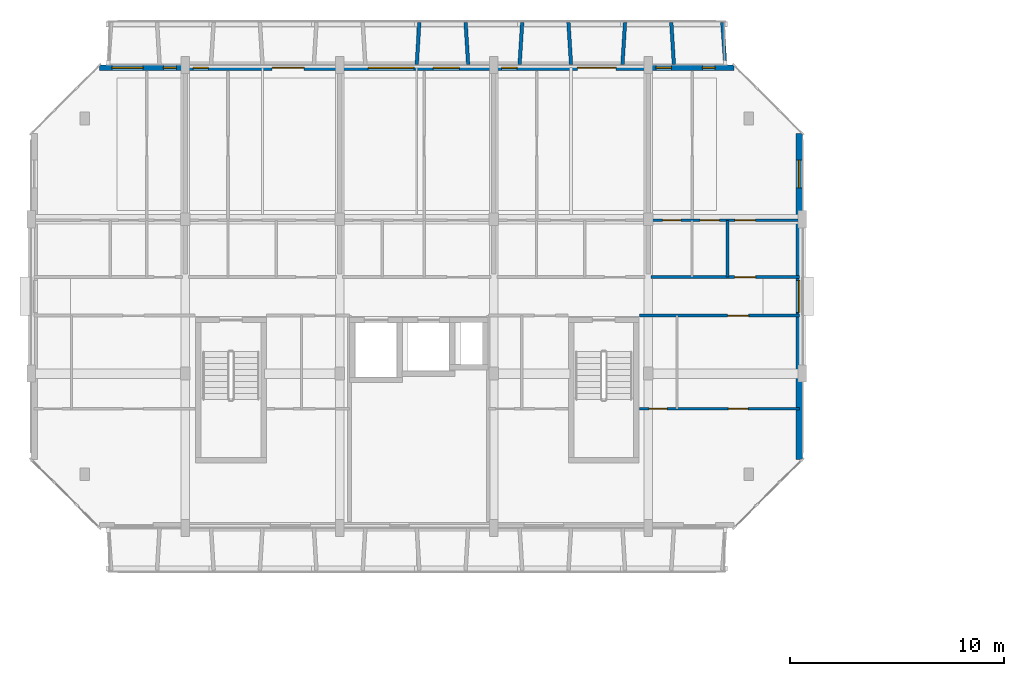
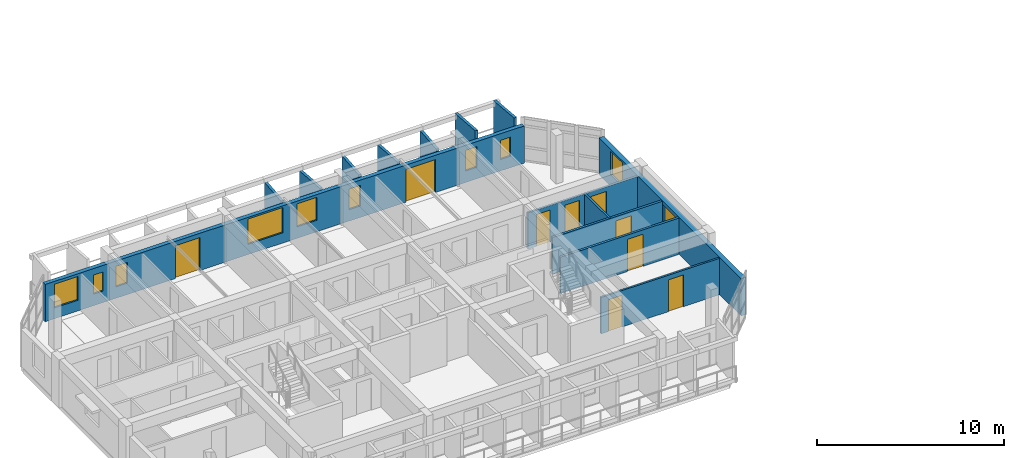
# One storey, part 23 of 46: 14 walls, 10 windows, 9 doors, 19 openings.
"""IFC4 building model written with IfcOpenShell, lengths in metres."""

from ifc_helpers import new_model, si_unit, direction, frame, frame_2d, origin, place, context, subcontext, project, spatial, rectangle, extrude, material, layer, layer_set, type_object, element, fill, save


model = new_model("IFC4")

# Units and contexts
model_context = context("Model", 3, precision=1e-05, world=origin(), true_north=direction((0.0, 1.0)))
body_context = subcontext(model_context, "Body", "Model", "MODEL_VIEW")
ifc_project = project(units=[si_unit("LENGTHUNIT", "METRE"), si_unit("AREAUNIT", "SQUARE_METRE"), si_unit("VOLUMEUNIT", "CUBIC_METRE"), si_unit("PLANEANGLEUNIT", "RADIAN"), si_unit("MASSUNIT", "GRAM", prefix="KILO")], contexts=[model_context])

# Site, building, storey
site_placement = place(None, origin())
site = spatial("IfcSite", under=ifc_project, at=site_placement, CompositionType="ELEMENT")
building_placement = place(site_placement, origin())
building = spatial("IfcBuilding", under=site, at=building_placement, Name="Ochrevale Crest", CompositionType="ELEMENT")
storey_placement = place(building_placement, frame((0.0, 0.0, 24.449951171875)))
storey = spatial("IfcBuildingStorey", under=building, at=storey_placement, Name="L07", CompositionType="ELEMENT", Elevation=24.449951171875)

# Wall, opening, door
ifc_material_1 = material(Name="Gypsum plasterboard", Category="gypsum")
ifc_layer_1 = layer(ifc_material_1, 0.139892578125)
ifc_layer_set_1 = layer_set([ifc_layer_1], Name="Gypsum plasterboard")
wall_type_1 = type_object("IfcWallType", Name="WL-COR-140", PredefinedType="PARTITIONING", material=ifc_layer_set_1)
wall_1_placement = place(storey_placement, frame((28.93994140625, 83.699951171875, 0.0), z_axis=(0.0, 0.0, 1.0), x_axis=(1.0, 0.0, 0.0)))
wall_1 = element("IfcWall", 1, at=wall_1_placement, inside=storey, type_object=wall_type_1, Name="Apartment B-L07-U5 corridor wall", PredefinedType="PARTITIONING", context=body_context, shape_type="SweptSolid", body=[
    extrude(rectangle(XDim=6.920166015625, YDim=0.139892578125, at=frame_2d((3.4599609375, 0.0))), origin(), (0.0, 0.0, 1.0), 2.380126953125),
])
opening_1_placement = place(wall_1_placement, frame((4.875, 0.0, 0.0), z_axis=(0.0, 0.0, 1.0), x_axis=(-1.0, 0.0, 0.0)))
opening_1 = element("IfcOpeningElement", 2, at=opening_1_placement, cuts=wall_1, Name="Opening FD01", PredefinedType="OPENING", context=body_context, shape_type="SweptSolid", body=[
    extrude(rectangle(XDim=0.97998046875, YDim=2.10009765625, at=frame_2d((0.489990234375, 1.050048828125))), frame((0.0, 0.080078125, 0.0), z_axis=(0.0, -1.0, 0.0), x_axis=(1.0, 0.0, 0.0)), (0.0, 0.0, 1.0), 0.159912109375),
])
ifc_material_2 = material(Name="Solid-core FSC hardwood", Category="wood")
door_type_1 = type_object("IfcDoorType", Name="DR-APT-950", OperationType="NOTDEFINED", PredefinedType="DOOR", material=ifc_material_2)
door_1_placement = place(opening_1_placement, origin())
door_1 = element("IfcDoor", 3, at=door_1_placement, inside=storey, type_object=door_type_1, Name="Apartment B-L07-U5 entrance door", OperationType="SINGLE_SWING_RIGHT", OverallHeight=2.10009765625, OverallWidth=0.97998046875, PredefinedType="DOOR", context=body_context, shape_type="SweptSolid", body=[
    extrude(rectangle(XDim=0.97998046875, YDim=2.10009765625, at=frame_2d((0.489990234375, 1.050048828125))), frame((0.0, 0.02490234375, 0.0), z_axis=(0.0, -1.0, 0.0), x_axis=(1.0, 0.0, 0.0)), (0.0, 0.0, 1.0), 0.050048828125),
])
fill(opening_1, door_1)

wall_2_placement = place(storey_placement, frame((28.389892578125, 81.89990234375, 0.0), z_axis=(0.0, 0.0, 1.0), x_axis=(1.0, 0.0, 0.0)))
wall_2 = element("IfcWall", 4, at=wall_2_placement, inside=storey, type_object=wall_type_1, Name="Suite B-L07-CE corridor wall", PredefinedType="PARTITIONING", context=body_context, shape_type="SweptSolid", body=[
    extrude(rectangle(XDim=7.47021484375, YDim=0.139892578125, at=frame_2d((3.735107421875, 0.0))), origin(), (0.0, 0.0, 1.0), 2.380126953125),
])
opening_2_placement = place(wall_2_placement, frame((5.10009765625, 0.0, 0.0), z_axis=(0.0, 0.0, 1.0), x_axis=(-1.0, 0.0, 0.0)))
opening_2 = element("IfcOpeningElement", 5, at=opening_2_placement, cuts=wall_2, Name="Opening FD01", PredefinedType="OPENING", context=body_context, shape_type="SweptSolid", body=[
    extrude(rectangle(XDim=0.97998046875, YDim=2.10009765625, at=frame_2d((0.489990234375, 1.050048828125))), frame((0.0, 0.080078125, 0.0), z_axis=(0.0, -1.0, 0.0), x_axis=(1.0, 0.0, 0.0)), (0.0, 0.0, 1.0), 0.159912109375),
])
door_2_placement = place(opening_2_placement, origin())
door_2 = element("IfcDoor", 6, at=door_2_placement, inside=storey, type_object=door_type_1, Name="Suite B-L07-CE entrance door", OperationType="SINGLE_SWING_RIGHT", OverallHeight=2.10009765625, OverallWidth=0.97998046875, PredefinedType="DOOR", context=body_context, shape_type="SweptSolid", body=[
    extrude(rectangle(XDim=0.97998046875, YDim=2.10009765625, at=frame_2d((0.489990234375, 1.050048828125))), frame((0.0, 0.02490234375, 0.0), z_axis=(0.0, -1.0, 0.0), x_axis=(1.0, 0.0, 0.0)), (0.0, 0.0, 1.0), 0.050048828125),
])
fill(opening_2, door_2)

# Wall, openings, windows
ifc_material_3 = material(Name="Clay face brickwork", Category="masonry")
ifc_layer_2 = layer(ifc_material_3, 0.2900390625)
ifc_layer_set_2 = layer_set([ifc_layer_2], Name="Clay face brickwork")
wall_type_2 = type_object("IfcWallType", Name="WL-EXT-BRICK-290", PredefinedType="SOLIDWALL", material=ifc_layer_set_2)
wall_3_placement = place(storey_placement, frame((35.85498046875, 75.199951171875, 0.0), z_axis=(0.0, 0.0, 1.0), x_axis=(0.0, 1.0, 0.0)))
wall_3 = element("IfcWall", 7, at=wall_3_placement, inside=storey, type_object=wall_type_2, Name="Block B L07 external facade wall E3", PredefinedType="SOLIDWALL", context=body_context, shape_type="SweptSolid", body=[
    extrude(rectangle(XDim=15.199951171875, YDim=0.2900390625, at=frame_2d((7.60009765625, 0.0))), origin(), (0.0, 0.0, 1.0), 2.429931640625),
])
opening_3_placement = place(wall_3_placement, frame((6.85009765625, 0.0, 1.050048828125)))
opening_3 = element("IfcOpeningElement", 8, at=opening_3_placement, cuts=wall_3, Name="Opening W18", PredefinedType="OPENING", context=body_context, shape_type="SweptSolid", body=[
    extrude(rectangle(XDim=1.5, YDim=1.14990234375, at=frame_2d((0.75, 0.574951171875))), frame((0.0, 0.155029296875, 0.0), z_axis=(0.0, -1.0, 0.0), x_axis=(1.0, 0.0, 0.0)), (0.0, 0.0, 1.0), 0.31005859375),
])
opening_4_placement = place(wall_3_placement, frame((12.6650390625, 0.0, 0.75)))
opening_4 = element("IfcOpeningElement", 9, at=opening_4_placement, cuts=wall_3, Name="Opening W30", PredefinedType="OPENING", context=body_context, shape_type="SweptSolid", body=[
    extrude(rectangle(XDim=1.300048828125, YDim=1.550048828125, at=frame_2d((0.64990234375, 0.77490234375))), frame((0.0, 0.155029296875, 0.0), z_axis=(0.0, -1.0, 0.0), x_axis=(1.0, 0.0, 0.0)), (0.0, 0.0, 1.0), 0.31005859375),
])
ifc_material_4 = material(Name="Anodised aluminium 6063-T5 and low-E double glazing", Category="aluminium")
window_type_1 = type_object("IfcWindowType", Name="WIN-W18", PartitioningType="SINGLE_PANEL", PredefinedType="WINDOW", material=ifc_material_4)
window_1_placement = place(opening_3_placement, origin())
window_1 = element("IfcWindow", 10, at=window_1_placement, inside=storey, type_object=window_type_1, Name="Block B L07 corridor end daylight window E", OverallHeight=1.14990234375, OverallWidth=1.5, PartitioningType="SINGLE_PANEL", PredefinedType="WINDOW", context=body_context, shape_type="SweptSolid", body=[
    extrude(rectangle(XDim=1.5, YDim=1.14990234375, at=frame_2d((0.75, 0.574951171875))), frame((0.0, 0.030029296875, 0.0), z_axis=(0.0, -1.0, 0.0), x_axis=(1.0, 0.0, 0.0)), (0.0, 0.0, 1.0), 0.06005859375),
])
fill(opening_3, window_1)
window_type_2 = type_object("IfcWindowType", Name="WIN-W30", PartitioningType="SINGLE_PANEL", PredefinedType="WINDOW", material=ifc_material_4)
window_2_placement = place(opening_4_placement, origin())
window_2 = element("IfcWindow", 11, at=window_2_placement, inside=storey, type_object=window_type_2, Name="Block B L07 side suite window E", OverallHeight=1.550048828125, OverallWidth=1.300048828125, PartitioningType="SINGLE_PANEL", PredefinedType="WINDOW", context=body_context, shape_type="SweptSolid", body=[
    extrude(rectangle(XDim=1.300048828125, YDim=1.550048828125, at=frame_2d((0.64990234375, 0.77490234375))), frame((0.0, 0.030029296875, 0.0), z_axis=(0.0, -1.0, 0.0), x_axis=(1.0, 0.0, 0.0)), (0.0, 0.0, 1.0), 0.06005859375),
])
fill(opening_4, window_2)

# Wall, openings, doors, windows
ifc_material_5 = material(Name="Precast concrete C40/50", Category="concrete")
ifc_layer_3 = layer(ifc_material_5, 0.25)
ifc_layer_set_3 = layer_set([ifc_layer_3], Name="Precast concrete C40/50")
wall_type_3 = type_object("IfcWallType", Name="WL-EXT-GOLD-250", PredefinedType="SOLIDWALL", material=ifc_layer_set_3)
wall_4_placement = place(storey_placement, frame((32.800048828125, 93.47509765625, 0.0), z_axis=(0.0, 0.0, 1.0), x_axis=(-1.0, 0.0, 0.0)))
wall_4 = element("IfcWall", 12, at=wall_4_placement, inside=storey, type_object=wall_type_3, Name="Block B L07 external facade wall E5", PredefinedType="SOLIDWALL", context=body_context, shape_type="SweptSolid", body=[
    extrude(rectangle(XDim=29.60009765625, YDim=0.25, at=frame_2d((14.800048828125, 0.0))), origin(), (0.0, 0.0, 1.0), 2.429931640625),
])
opening_5_placement = place(wall_4_placement, frame((21.550048828125, 0.0, 0.0), z_axis=(0.0, 0.0, 1.0), x_axis=(-1.0, 0.0, 0.0)))
opening_5 = element("IfcOpeningElement", 13, at=opening_5_placement, cuts=wall_4, Name="Opening BD01", PredefinedType="OPENING", context=body_context, shape_type="SweptSolid", body=[
    extrude(rectangle(XDim=1.5, YDim=2.14990234375, at=frame_2d((0.75, 1.074951171875))), frame((0.0, 0.135009765625, 0.0), z_axis=(0.0, -1.0, 0.0), x_axis=(1.0, 0.0, 0.0)), (0.0, 0.0, 1.0), 0.27001953125),
])
opening_6_placement = place(wall_4_placement, frame((7.300048828125, 0.0, 0.0), z_axis=(0.0, 0.0, 1.0), x_axis=(-1.0, 0.0, 0.0)))
opening_6 = element("IfcOpeningElement", 14, at=opening_6_placement, cuts=wall_4, Name="Opening BD03", PredefinedType="OPENING", context=body_context, shape_type="SweptSolid", body=[
    extrude(rectangle(XDim=1.800048828125, YDim=2.14990234375, at=frame_2d((0.89990234375, 1.074951171875))), frame((0.0, 0.135009765625, 0.0), z_axis=(0.0, -1.0, 0.0), x_axis=(1.0, 0.0, 0.0)), (0.0, 0.0, 1.0), 0.27001953125),
])
opening_7_placement = place(wall_4_placement, frame((27.570068359375, 0.0, 0.699951171875)))
opening_7 = element("IfcOpeningElement", 15, at=opening_7_placement, cuts=wall_4, Name="Opening W08", PredefinedType="OPENING", context=body_context, shape_type="SweptSolid", body=[
    extrude(rectangle(XDim=1.4599609375, YDim=1.550048828125, at=frame_2d((0.72998046875, 0.77490234375))), frame((0.0, 0.135009765625, 0.0), z_axis=(0.0, -1.0, 0.0), x_axis=(1.0, 0.0, 0.0)), (0.0, 0.0, 1.0), 0.27001953125),
])
opening_8_placement = place(wall_4_placement, frame((26.02001953125, 0.0, 0.75)))
opening_8 = element("IfcOpeningElement", 16, at=opening_8_placement, cuts=wall_4, Name="Opening W01", PredefinedType="OPENING", context=body_context, shape_type="SweptSolid", body=[
    extrude(rectangle(XDim=0.60009765625, YDim=1.25, at=frame_2d((0.300048828125, 0.625))), frame((0.0, 0.135009765625, 0.0), z_axis=(0.0, -1.0, 0.0), x_axis=(1.0, 0.0, 0.0)), (0.0, 0.0, 1.0), 0.27001953125),
])
opening_9_placement = place(wall_4_placement, frame((24.52001953125, 0.0, 0.75)))
opening_9 = element("IfcOpeningElement", 17, at=opening_9_placement, cuts=wall_4, Name="Opening W02", PredefinedType="OPENING", context=body_context, shape_type="SweptSolid", body=[
    extrude(rectangle(XDim=0.719970703125, YDim=1.35009765625, at=frame_2d((0.35986328125, 0.675048828125))), frame((0.0, 0.135009765625, 0.0), z_axis=(0.0, -1.0, 0.0), x_axis=(1.0, 0.0, 0.0)), (0.0, 0.0, 1.0), 0.27001953125),
])
opening_10_placement = place(wall_4_placement, frame((14.925048828125, 0.0, 0.669921875)))
opening_10 = element("IfcOpeningElement", 18, at=opening_10_placement, cuts=wall_4, Name="Opening W13", PredefinedType="OPENING", context=body_context, shape_type="SweptSolid", body=[
    extrude(rectangle(XDim=2.14990234375, YDim=1.64990234375, at=frame_2d((1.074951171875, 0.824951171875))), frame((0.0, 0.135009765625, 0.0), z_axis=(0.0, -1.0, 0.0), x_axis=(1.0, 0.0, 0.0)), (0.0, 0.0, 1.0), 0.27001953125),
])
opening_11_placement = place(wall_4_placement, frame((12.81494140625, 0.0, 0.75)))
opening_11 = element("IfcOpeningElement", 19, at=opening_11_placement, cuts=wall_4, Name="Opening W06", PredefinedType="OPENING", context=body_context, shape_type="SweptSolid", body=[
    extrude(rectangle(XDim=1.219970703125, YDim=1.5, at=frame_2d((0.60986328125, 0.75))), frame((0.0, 0.135009765625, 0.0), z_axis=(0.0, -1.0, 0.0), x_axis=(1.0, 0.0, 0.0)), (0.0, 0.0, 1.0), 0.27001953125),
])
opening_12_placement = place(wall_4_placement, frame((10.1201171875, 0.0, 0.75)))
opening_12 = element("IfcOpeningElement", 20, at=opening_12_placement, cuts=wall_4, Name="Opening W02", PredefinedType="OPENING", context=body_context, shape_type="SweptSolid", body=[
    extrude(rectangle(XDim=0.719970703125, YDim=1.35009765625, at=frame_2d((0.35986328125, 0.675048828125))), frame((0.0, 0.135009765625, 0.0), z_axis=(0.0, -1.0, 0.0), x_axis=(1.0, 0.0, 0.0)), (0.0, 0.0, 1.0), 0.27001953125),
])
opening_13_placement = place(wall_4_placement, frame((2.919921875, 0.0, 0.75)))
opening_13 = element("IfcOpeningElement", 21, at=opening_13_placement, cuts=wall_4, Name="Opening W02", PredefinedType="OPENING", context=body_context, shape_type="SweptSolid", body=[
    extrude(rectangle(XDim=0.719970703125, YDim=1.35009765625, at=frame_2d((0.35986328125, 0.675048828125))), frame((0.0, 0.135009765625, 0.0), z_axis=(0.0, -1.0, 0.0), x_axis=(1.0, 0.0, 0.0)), (0.0, 0.0, 1.0), 0.27001953125),
])
opening_14_placement = place(wall_4_placement, frame((0.8701171875, 0.0, 0.75)))
opening_14 = element("IfcOpeningElement", 22, at=opening_14_placement, cuts=wall_4, Name="Opening W01", PredefinedType="OPENING", context=body_context, shape_type="SweptSolid", body=[
    extrude(rectangle(XDim=0.60009765625, YDim=1.25, at=frame_2d((0.300048828125, 0.625))), frame((0.0, 0.135009765625, 0.0), z_axis=(0.0, -1.0, 0.0), x_axis=(1.0, 0.0, 0.0)), (0.0, 0.0, 1.0), 0.27001953125),
])
ifc_material_6 = material(Name="Anodised aluminium 6063-T5 and toughened glass", Category="aluminium")
door_type_2 = type_object("IfcDoorType", Name="DR-BAL-1500", OperationType="NOTDEFINED", PredefinedType="DOOR", material=ifc_material_6)
door_3_placement = place(opening_5_placement, origin())
door_3 = element("IfcDoor", 23, at=door_3_placement, inside=storey, type_object=door_type_2, Name="Block B L07 balcony door N2", OperationType="SINGLE_SWING_RIGHT", OverallHeight=2.14990234375, OverallWidth=1.5, PredefinedType="DOOR", context=body_context, shape_type="SweptSolid", body=[
    extrude(rectangle(XDim=1.5, YDim=2.14990234375, at=frame_2d((0.75, 1.074951171875))), frame((0.0, 0.02490234375, 0.0), z_axis=(0.0, -1.0, 0.0), x_axis=(1.0, 0.0, 0.0)), (0.0, 0.0, 1.0), 0.050048828125),
])
fill(opening_5, door_3)
door_type_3 = type_object("IfcDoorType", Name="DR-BAL-1800", OperationType="NOTDEFINED", PredefinedType="DOOR", material=ifc_material_6)
door_4_placement = place(opening_6_placement, origin())
door_4 = element("IfcDoor", 24, at=door_4_placement, inside=storey, type_object=door_type_3, Name="Block B L07 balcony door N4", OperationType="SINGLE_SWING_LEFT", OverallHeight=2.14990234375, OverallWidth=1.800048828125, PredefinedType="DOOR", context=body_context, shape_type="SweptSolid", body=[
    extrude(rectangle(XDim=1.800048828125, YDim=2.14990234375, at=frame_2d((0.89990234375, 1.074951171875))), frame((0.0, 0.02490234375, 0.0), z_axis=(0.0, -1.0, 0.0), x_axis=(1.0, 0.0, 0.0)), (0.0, 0.0, 1.0), 0.050048828125),
])
fill(opening_6, door_4)
window_type_3 = type_object("IfcWindowType", Name="WIN-W01", PartitioningType="SINGLE_PANEL", PredefinedType="WINDOW", material=ifc_material_4)
window_3_placement = place(opening_8_placement, origin())
window_3 = element("IfcWindow", 25, at=window_3_placement, inside=storey, type_object=window_type_3, Name="Block B L07 Apartment B-L07-U1 One Bedroom Living Room window", OverallHeight=1.25, OverallWidth=0.60009765625, PartitioningType="SINGLE_PANEL", PredefinedType="WINDOW", context=body_context, shape_type="SweptSolid", body=[
    extrude(rectangle(XDim=0.60009765625, YDim=1.25, at=frame_2d((0.300048828125, 0.625))), frame((0.0, 0.030029296875, 0.0), z_axis=(0.0, -1.0, 0.0), x_axis=(1.0, 0.0, 0.0)), (0.0, 0.0, 1.0), 0.06005859375),
])
fill(opening_8, window_3)
window_4_placement = place(opening_14_placement, origin())
window_4 = element("IfcWindow", 26, at=window_4_placement, inside=storey, type_object=window_type_3, Name="Block B L07 Apartment B-L07-U5 One Bedroom Living Room window", OverallHeight=1.25, OverallWidth=0.60009765625, PartitioningType="SINGLE_PANEL", PredefinedType="WINDOW", context=body_context, shape_type="SweptSolid", body=[
    extrude(rectangle(XDim=0.60009765625, YDim=1.25, at=frame_2d((0.300048828125, 0.625))), frame((0.0, 0.030029296875, 0.0), z_axis=(0.0, -1.0, 0.0), x_axis=(1.0, 0.0, 0.0)), (0.0, 0.0, 1.0), 0.06005859375),
])
fill(opening_14, window_4)
window_type_4 = type_object("IfcWindowType", Name="WIN-W02", PartitioningType="SINGLE_PANEL", PredefinedType="WINDOW", material=ifc_material_4)
window_5_placement = place(opening_9_placement, origin())
window_5 = element("IfcWindow", 27, at=window_5_placement, inside=storey, type_object=window_type_4, Name="Block B L07 Apartment B-L07-U2 Twin Bedroom window", OverallHeight=1.35009765625, OverallWidth=0.719970703125, PartitioningType="SINGLE_PANEL", PredefinedType="WINDOW", context=body_context, shape_type="SweptSolid", body=[
    extrude(rectangle(XDim=0.719970703125, YDim=1.35009765625, at=frame_2d((0.35986328125, 0.675048828125))), frame((0.0, 0.030029296875, 0.0), z_axis=(0.0, -1.0, 0.0), x_axis=(1.0, 0.0, 0.0)), (0.0, 0.0, 1.0), 0.06005859375),
])
fill(opening_9, window_5)
window_6_placement = place(opening_12_placement, origin())
window_6 = element("IfcWindow", 28, at=window_6_placement, inside=storey, type_object=window_type_4, Name="Block B L07 Apartment B-L07-U4 Master Bedroom window", OverallHeight=1.35009765625, OverallWidth=0.719970703125, PartitioningType="SINGLE_PANEL", PredefinedType="WINDOW", context=body_context, shape_type="SweptSolid", body=[
    extrude(rectangle(XDim=0.719970703125, YDim=1.35009765625, at=frame_2d((0.35986328125, 0.675048828125))), frame((0.0, 0.030029296875, 0.0), z_axis=(0.0, -1.0, 0.0), x_axis=(1.0, 0.0, 0.0)), (0.0, 0.0, 1.0), 0.06005859375),
])
fill(opening_12, window_6)
window_7_placement = place(opening_13_placement, origin())
window_7 = element("IfcWindow", 29, at=window_7_placement, inside=storey, type_object=window_type_4, Name="Block B L07 Apartment B-L07-U5 Master Bedroom window", OverallHeight=1.35009765625, OverallWidth=0.719970703125, PartitioningType="SINGLE_PANEL", PredefinedType="WINDOW", context=body_context, shape_type="SweptSolid", body=[
    extrude(rectangle(XDim=0.719970703125, YDim=1.35009765625, at=frame_2d((0.35986328125, 0.675048828125))), frame((0.0, 0.030029296875, 0.0), z_axis=(0.0, -1.0, 0.0), x_axis=(1.0, 0.0, 0.0)), (0.0, 0.0, 1.0), 0.06005859375),
])
fill(opening_13, window_7)
window_type_5 = type_object("IfcWindowType", Name="WIN-W06", PartitioningType="SINGLE_PANEL", PredefinedType="WINDOW", material=ifc_material_4)
window_8_placement = place(opening_11_placement, origin())
window_8 = element("IfcWindow", 30, at=window_8_placement, inside=storey, type_object=window_type_5, Name="Block B L07 Apartment B-L07-U3 Two Bedroom Living Room window", OverallHeight=1.5, OverallWidth=1.219970703125, PartitioningType="SINGLE_PANEL", PredefinedType="WINDOW", context=body_context, shape_type="SweptSolid", body=[
    extrude(rectangle(XDim=1.219970703125, YDim=1.5, at=frame_2d((0.60986328125, 0.75))), frame((0.0, 0.030029296875, 0.0), z_axis=(0.0, -1.0, 0.0), x_axis=(1.0, 0.0, 0.0)), (0.0, 0.0, 1.0), 0.06005859375),
])
fill(opening_11, window_8)
window_type_6 = type_object("IfcWindowType", Name="WIN-W08", PartitioningType="SINGLE_PANEL", PredefinedType="WINDOW", material=ifc_material_4)
window_9_placement = place(opening_7_placement, origin())
window_9 = element("IfcWindow", 31, at=window_9_placement, inside=storey, type_object=window_type_6, Name="Block B L07 Apartment B-L07-U1 Master Bedroom window", OverallHeight=1.550048828125, OverallWidth=1.4599609375, PartitioningType="SINGLE_PANEL", PredefinedType="WINDOW", context=body_context, shape_type="SweptSolid", body=[
    extrude(rectangle(XDim=1.4599609375, YDim=1.550048828125, at=frame_2d((0.72998046875, 0.77490234375))), frame((0.0, 0.030029296875, 0.0), z_axis=(0.0, -1.0, 0.0), x_axis=(1.0, 0.0, 0.0)), (0.0, 0.0, 1.0), 0.06005859375),
])
fill(opening_7, window_9)
window_type_7 = type_object("IfcWindowType", Name="WIN-W13", PartitioningType="SINGLE_PANEL", PredefinedType="WINDOW", material=ifc_material_4)
window_10_placement = place(opening_10_placement, origin())
window_10 = element("IfcWindow", 32, at=window_10_placement, inside=storey, type_object=window_type_7, Name="Block B L07 Apartment B-L07-U3 Double Bedroom window", OverallHeight=1.64990234375, OverallWidth=2.14990234375, PartitioningType="SINGLE_PANEL", PredefinedType="WINDOW", context=body_context, shape_type="SweptSolid", body=[
    extrude(rectangle(XDim=2.14990234375, YDim=1.64990234375, at=frame_2d((1.074951171875, 0.824951171875))), frame((0.0, 0.030029296875, 0.0), z_axis=(0.0, -1.0, 0.0), x_axis=(1.0, 0.0, 0.0)), (0.0, 0.0, 1.0), 0.06005859375),
])
fill(opening_10, window_10)

# Walls
ifc_layer_4 = layer(ifc_material_5, 0.1650390625)
ifc_layer_set_4 = layer_set([ifc_layer_4], Name="Precast concrete C40/50")
wall_type_4 = type_object("IfcWallType", Name="WL-HC-CHEEK-165", PredefinedType="ELEMENTEDWALL", material=ifc_layer_set_4)
for number, where, z_axis, x_axis, name in (
    (33, (18.0, 93.6201171875, 0.0), (0.0, 0.0, 1.0), (0.061170732449, 0.998127317276, 0.0), "Block B L07 N precast honeycomb cheek 7"),
    (34, (20.39990234375, 93.6201171875, 0.0), (0.0, 0.0, 1.0), (-0.061046865508, 0.998134900808, 0.0), "Block B L07 N precast honeycomb cheek 8"),
):
    element("IfcWall", number, at=place(storey_placement, frame(where, z_axis=z_axis, x_axis=x_axis)), inside=storey, type_object=wall_type_4, Name=name, PredefinedType="ELEMENTEDWALL", context=body_context, shape_type="SweptSolid", body=[
        extrude(rectangle(XDim=1.963623046875, YDim=0.1650390625, at=frame_2d((0.98193359375, 0.0))), origin(), (0.0, 0.0, 1.0), 2.550048828125),
    ])
for number, where, z_axis, x_axis, name in (
    (35, (22.800048828125, 93.6201171875, 0.0), (0.0, 0.0, 1.0), (0.061046865508, 0.998134900808, 0.0), "Block B L07 N precast honeycomb cheek 9"),
    (36, (25.199951171875, 93.6201171875, 0.0), (0.0, 0.0, 1.0), (-0.061046865508, 0.998134900808, 0.0), "Block B L07 N precast honeycomb cheek 10"),
    (37, (27.60009765625, 93.6201171875, 0.0), (0.0, 0.0, 1.0), (0.061046865508, 0.998134900808, 0.0), "Block B L07 N precast honeycomb cheek 11"),
):
    element("IfcWall", number, at=place(storey_placement, frame(where, z_axis=z_axis, x_axis=x_axis)), inside=storey, type_object=wall_type_4, Name=name, PredefinedType="ELEMENTEDWALL", context=body_context, shape_type="SweptSolid", body=[
        extrude(rectangle(XDim=1.963623046875, YDim=0.1650390625, at=frame_2d((0.98193359375, 0.0))), origin(), (0.0, 0.0, 1.0), 2.580078125),
    ])
wall_5_placement = place(storey_placement, frame((30.0, 93.6201171875, 0.0), z_axis=(0.0, 0.0, 1.0), x_axis=(-0.061170732449, 0.998127317276, 0.0)))
element("IfcWall", 38, at=wall_5_placement, inside=storey, type_object=wall_type_4, Name="Block B L07 N precast honeycomb cheek 12", PredefinedType="ELEMENTEDWALL", context=body_context, shape_type="SweptSolid", body=[
    extrude(rectangle(XDim=1.963623046875, YDim=0.1650390625, at=frame_2d((0.98193359375, 0.0))), origin(), (0.0, 0.0, 1.0), 2.949951171875),
])
wall_6_placement = place(storey_placement, frame((32.39990234375, 93.6201171875, 0.0), z_axis=(0.0, 0.0, 1.0), x_axis=(-0.071194071069, 0.997462482625, 0.0)))
element("IfcWall", 39, at=wall_6_placement, inside=storey, type_object=wall_type_4, Name="Block B L07 N precast honeycomb cheek 13", PredefinedType="ELEMENTEDWALL", context=body_context, shape_type="SweptSolid", body=[
    extrude(rectangle(XDim=1.96484375, YDim=0.1650390625, at=frame_2d((0.982421875, 0.0))), origin(), (0.0, 0.0, 1.0), 2.949951171875),
])
ifc_layer_5 = layer(ifc_material_1, 0.1201171875)
ifc_layer_set_5 = layer_set([ifc_layer_5], Name="Gypsum plasterboard")
wall_type_5 = type_object("IfcWallType", Name="WL-PART-120", PredefinedType="PARTITIONING", material=ifc_layer_set_5)
wall_7_placement = place(storey_placement, frame((32.5, 83.699951171875, 0.0), z_axis=(0.0, 0.0, 1.0), x_axis=(0.0, 1.0, 0.0)))
element("IfcWall", 40, at=wall_7_placement, inside=storey, type_object=wall_type_5, Name="Apartment B-L07-U5 kitchen-foyer wall", PredefinedType="PARTITIONING", context=body_context, shape_type="SweptSolid", body=[
    extrude(rectangle(XDim=2.650146484375, YDim=0.1201171875, at=frame_2d((1.3251953125, 0.0))), origin(), (0.0, 0.0, 1.0), 2.380126953125),
])

# Wall, openings, doors
wall_8_placement = place(storey_placement, frame((28.93994140625, 86.35009765625, 0.0), z_axis=(0.0, 0.0, 1.0), x_axis=(1.0, 0.0, 0.0)))
wall_8 = element("IfcWall", 41, at=wall_8_placement, inside=storey, type_object=wall_type_5, Name="Apartment B-L07-U5 central partition", PredefinedType="PARTITIONING", context=body_context, shape_type="SweptSolid", body=[
    extrude(rectangle(XDim=6.920166015625, YDim=0.1201171875, at=frame_2d((3.4599609375, 0.0))), origin(), (0.0, 0.0, 1.0), 2.380126953125),
])
opening_15_placement = place(wall_8_placement, frame((0.530029296875, 0.0, 0.0)))
opening_15 = element("IfcOpeningElement", 42, at=opening_15_placement, cuts=wall_8, Name="Opening ID01", PredefinedType="OPENING", context=body_context, shape_type="SweptSolid", body=[
    extrude(rectangle(XDim=0.85009765625, YDim=2.080078125, at=frame_2d((0.425048828125, 1.0400390625))), frame((0.0, 0.070068359375, 0.0), z_axis=(0.0, -1.0, 0.0), x_axis=(1.0, 0.0, 0.0)), (0.0, 0.0, 1.0), 0.14013671875),
])
opening_16_placement = place(wall_8_placement, frame((3.184814453125, 0.0, 0.0), z_axis=(0.0, 0.0, 1.0), x_axis=(-1.0, 0.0, 0.0)))
opening_16 = element("IfcOpeningElement", 43, at=opening_16_placement, cuts=wall_8, Name="Opening ID02", PredefinedType="OPENING", context=body_context, shape_type="SweptSolid", body=[
    extrude(rectangle(XDim=0.89990234375, YDim=2.080078125, at=frame_2d((0.449951171875, 1.0400390625))), frame((0.0, 0.070068359375, 0.0), z_axis=(0.0, -1.0, 0.0), x_axis=(1.0, 0.0, 0.0)), (0.0, 0.0, 1.0), 0.14013671875),
])
opening_17_placement = place(wall_8_placement, frame((3.909912109375, 0.0, 0.0)))
opening_17 = element("IfcOpeningElement", 44, at=opening_17_placement, cuts=wall_8, Name="Opening ID06", PredefinedType="OPENING", context=body_context, shape_type="SweptSolid", body=[
    extrude(rectangle(XDim=0.949951171875, YDim=2.080078125, at=frame_2d((0.47509765625, 1.0400390625))), frame((0.0, 0.070068359375, 0.0), z_axis=(0.0, -1.0, 0.0), x_axis=(1.0, 0.0, 0.0)), (0.0, 0.0, 1.0), 0.14013671875),
])
door_type_4 = type_object("IfcDoorType", Name="DR-INT-900", OperationType="NOTDEFINED", PredefinedType="DOOR", material=ifc_material_2)
door_5_placement = place(opening_16_placement, origin())
door_5 = element("IfcDoor", 45, at=door_5_placement, inside=storey, type_object=door_type_4, Name="Apartment B-L07-U5 Kitchen door", OperationType="SINGLE_SWING_RIGHT", OverallHeight=2.080078125, OverallWidth=0.89990234375, PredefinedType="DOOR", context=body_context, shape_type="SweptSolid", body=[
    extrude(rectangle(XDim=0.89990234375, YDim=2.080078125, at=frame_2d((0.449951171875, 1.0400390625))), frame((0.0, 0.02490234375, 0.0), z_axis=(0.0, -1.0, 0.0), x_axis=(1.0, 0.0, 0.0)), (0.0, 0.0, 1.0), 0.050048828125),
])
fill(opening_16, door_5)
door_type_5 = type_object("IfcDoorType", Name="DR-INT-950", OperationType="NOTDEFINED", PredefinedType="DOOR", material=ifc_material_2)
door_6_placement = place(opening_17_placement, origin())
door_6 = element("IfcDoor", 46, at=door_6_placement, inside=storey, type_object=door_type_5, Name="Apartment B-L07-U5 Living Foyer door", OperationType="SINGLE_SWING_LEFT", OverallHeight=2.080078125, OverallWidth=0.949951171875, PredefinedType="DOOR", context=body_context, shape_type="SweptSolid", body=[
    extrude(rectangle(XDim=0.949951171875, YDim=2.080078125, at=frame_2d((0.47509765625, 1.0400390625))), frame((0.0, 0.02490234375, 0.0), z_axis=(0.0, -1.0, 0.0), x_axis=(1.0, 0.0, 0.0)), (0.0, 0.0, 1.0), 0.050048828125),
])
fill(opening_17, door_6)
door_type_6 = type_object("IfcDoorType", Name="DR-WC-850", OperationType="NOTDEFINED", PredefinedType="DOOR", material=ifc_material_2)
door_7_placement = place(opening_15_placement, origin())
door_7 = element("IfcDoor", 47, at=door_7_placement, inside=storey, type_object=door_type_6, Name="Apartment B-L07-U5 Bathroom door", OperationType="SINGLE_SWING_LEFT", OverallHeight=2.080078125, OverallWidth=0.85009765625, PredefinedType="DOOR", context=body_context, shape_type="SweptSolid", body=[
    extrude(rectangle(XDim=0.85009765625, YDim=2.080078125, at=frame_2d((0.425048828125, 1.0400390625))), frame((0.0, 0.02490234375, 0.0), z_axis=(0.0, -1.0, 0.0), x_axis=(1.0, 0.0, 0.0)), (0.0, 0.0, 1.0), 0.050048828125),
])
fill(opening_15, door_7)

wall_9_placement = place(storey_placement, frame((28.389892578125, 77.550048828125, 0.0), z_axis=(0.0, 0.0, 1.0), x_axis=(1.0, 0.0, 0.0)))
wall_9 = element("IfcWall", 48, at=wall_9_placement, inside=storey, type_object=wall_type_5, Name="Suite B-L07-CE internal wall", PredefinedType="PARTITIONING", context=body_context, shape_type="SweptSolid", body=[
    extrude(rectangle(XDim=7.47021484375, YDim=0.1201171875, at=frame_2d((3.735107421875, 0.0))), origin(), (0.0, 0.0, 1.0), 2.380126953125),
])
opening_18_placement = place(wall_9_placement, frame((0.449951171875, 0.0, 0.0)))
opening_18 = element("IfcOpeningElement", 49, at=opening_18_placement, cuts=wall_9, Name="Opening ID01", PredefinedType="OPENING", context=body_context, shape_type="SweptSolid", body=[
    extrude(rectangle(XDim=0.85009765625, YDim=2.080078125, at=frame_2d((0.425048828125, 1.0400390625))), frame((0.0, 0.070068359375, 0.0), z_axis=(0.0, -1.0, 0.0), x_axis=(1.0, 0.0, 0.0)), (0.0, 0.0, 1.0), 0.14013671875),
])
opening_19_placement = place(wall_9_placement, frame((5.06982421875, 0.0, 0.0), z_axis=(0.0, 0.0, 1.0), x_axis=(-1.0, 0.0, 0.0)))
opening_19 = element("IfcOpeningElement", 50, at=opening_19_placement, cuts=wall_9, Name="Opening ID04", PredefinedType="OPENING", context=body_context, shape_type="SweptSolid", body=[
    extrude(rectangle(XDim=0.919921875, YDim=2.080078125, at=frame_2d((0.4599609375, 1.0400390625))), frame((0.0, 0.070068359375, 0.0), z_axis=(0.0, -1.0, 0.0), x_axis=(1.0, 0.0, 0.0)), (0.0, 0.0, 1.0), 0.14013671875),
])
door_type_7 = type_object("IfcDoorType", Name="DR-INT-920", OperationType="NOTDEFINED", PredefinedType="DOOR", material=ifc_material_2)
door_8_placement = place(opening_19_placement, origin())
door_8 = element("IfcDoor", 51, at=door_8_placement, inside=storey, type_object=door_type_7, Name="Suite B-L07-CE Master Bedroom door", OperationType="SINGLE_SWING_RIGHT", OverallHeight=2.080078125, OverallWidth=0.919921875, PredefinedType="DOOR", context=body_context, shape_type="SweptSolid", body=[
    extrude(rectangle(XDim=0.919921875, YDim=2.080078125, at=frame_2d((0.4599609375, 1.0400390625))), frame((0.0, 0.02490234375, 0.0), z_axis=(0.0, -1.0, 0.0), x_axis=(1.0, 0.0, 0.0)), (0.0, 0.0, 1.0), 0.050048828125),
])
fill(opening_19, door_8)
door_9_placement = place(opening_18_placement, origin())
door_9 = element("IfcDoor", 52, at=door_9_placement, inside=storey, type_object=door_type_6, Name="Suite B-L07-CE Bathroom door", OperationType="SINGLE_SWING_LEFT", OverallHeight=2.080078125, OverallWidth=0.85009765625, PredefinedType="DOOR", context=body_context, shape_type="SweptSolid", body=[
    extrude(rectangle(XDim=0.85009765625, YDim=2.080078125, at=frame_2d((0.425048828125, 1.0400390625))), frame((0.0, 0.02490234375, 0.0), z_axis=(0.0, -1.0, 0.0), x_axis=(1.0, 0.0, 0.0)), (0.0, 0.0, 1.0), 0.050048828125),
])
fill(opening_18, door_9)

save(model, "model.ifc")
